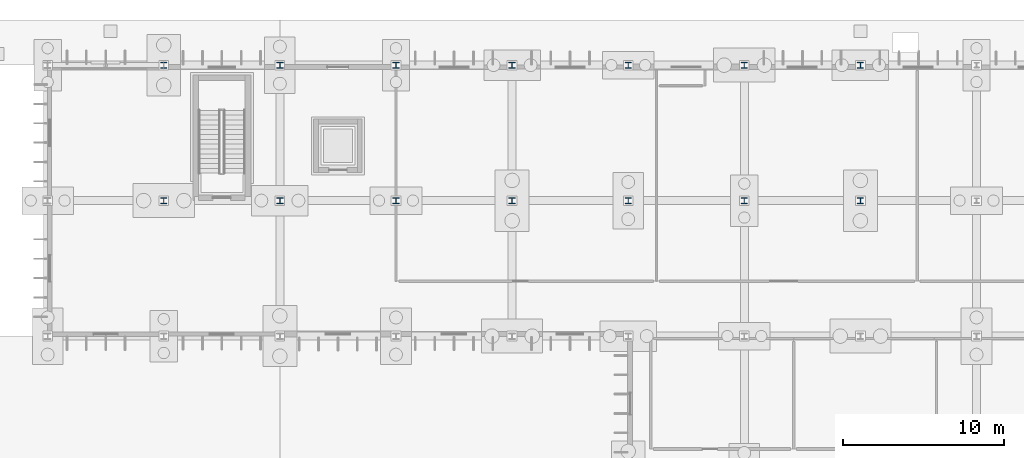
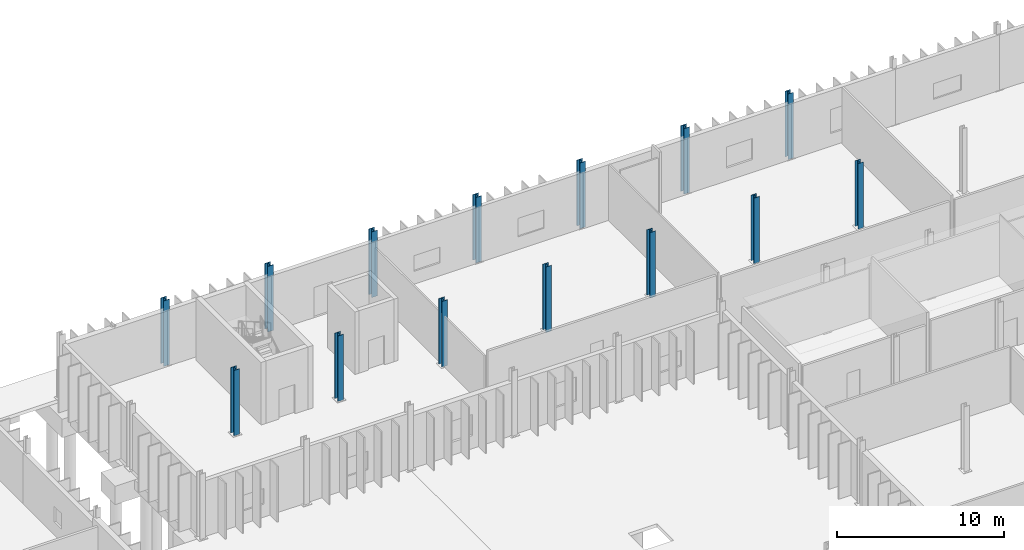
# One storey, part 23 of 118: 14 columns.
"""IFC4 building model written with IfcOpenShell, lengths in metres."""

from ifc_helpers import new_model, si_unit, direction, frame, origin, origin_2d, place, context, subcontext, project, spatial, i_section, extrude, material, material_profile, profile_set, type_object, element, save


model = new_model("IFC4")

# Units and contexts
model_context = context("Model", 3, precision=1e-05, world=origin(), true_north=direction((0.0, 1.0)))
body_context = subcontext(model_context, "Body", "Model", "MODEL_VIEW")
ifc_project = project(units=[si_unit("LENGTHUNIT", "METRE"), si_unit("AREAUNIT", "SQUARE_METRE"), si_unit("VOLUMEUNIT", "CUBIC_METRE"), si_unit("PLANEANGLEUNIT", "RADIAN"), si_unit("MASSUNIT", "GRAM", prefix="KILO")], contexts=[model_context])

# Site, building, storey
site_placement = place(None, origin())
site = spatial("IfcSite", under=ifc_project, at=site_placement, CompositionType="ELEMENT")
building_placement = place(site_placement, origin())
building = spatial("IfcBuilding", under=site, at=building_placement, Name="Qelthora Terrace Specialist Clinic", CompositionType="ELEMENT")
storey_placement = place(building_placement, origin())
storey = spatial("IfcBuildingStorey", under=building, at=storey_placement, Name="L00", CompositionType="ELEMENT", Elevation=0.0)

# Columns
ifc_material = material(Name="Steel S355", Category="steel")
ifc_material_profile_1 = material_profile(ifc_material, i_section(OverallWidth=0.37109375, OverallDepth=0.364013671875, WebThickness=0.01318359375, FlangeThickness=0.021728515625, FilletRadius=0.02001953125, at=origin_2d()), Name="W360X162")
ifc_profile_set_1 = profile_set([ifc_material_profile_1], Name="Steel S355")
column_type_1 = type_object("IfcColumnType", Name="COL-W360X162", PredefinedType="COLUMN", material=ifc_profile_set_1)
column_1_placement = place(storey_placement, frame((108.0, 109.199951171875, 0.0), z_axis=(0.0, 0.0, 1.0), x_axis=(1.0, 0.0, 0.0)))
element("IfcColumn", 1, at=column_1_placement, inside=storey, type_object=column_type_1, Name="Column L00-188", PredefinedType="COLUMN", context=body_context, shape_type="SweptSolid", body=[
    extrude(i_section(OverallWidth=0.37109375, OverallDepth=0.364013671875, WebThickness=0.01318359375, FlangeThickness=0.021728515625, FilletRadius=0.02001953125, at=origin_2d()), origin(), (0.0, 0.0, 1.0), 4.800048828125),
])
ifc_material_profile_2 = material_profile(ifc_material, i_section(OverallWidth=0.373046875, OverallDepth=0.367919921875, WebThickness=0.014892578125, FlangeThickness=0.02392578125, FilletRadius=0.02001953125, at=origin_2d()), Name="W360X179")
ifc_profile_set_2 = profile_set([ifc_material_profile_2], Name="Steel S355")
column_type_2 = type_object("IfcColumnType", Name="COL-W360X179", PredefinedType="COLUMN", material=ifc_profile_set_2)
column_2_placement = place(storey_placement, frame((108.0, 100.800048828125, 0.0), z_axis=(0.0, 0.0, 1.0), x_axis=(1.0, 0.0, 0.0)))
element("IfcColumn", 2, at=column_2_placement, inside=storey, type_object=column_type_2, Name="Column L00-187", PredefinedType="COLUMN", context=body_context, shape_type="SweptSolid", body=[
    extrude(i_section(OverallWidth=0.373046875, OverallDepth=0.367919921875, WebThickness=0.014892578125, FlangeThickness=0.02392578125, FilletRadius=0.02001953125, at=origin_2d()), origin(), (0.0, 0.0, 1.0), 4.800048828125),
])
ifc_material_profile_3 = material_profile(ifc_material, i_section(OverallWidth=0.39404296875, OverallDepth=0.375, WebThickness=0.017333984375, FlangeThickness=0.027587890625, FilletRadius=0.02001953125, at=origin_2d()), Name="W360X216")
ifc_profile_set_3 = profile_set([ifc_material_profile_3], Name="Steel S355")
column_type_3 = type_object("IfcColumnType", Name="COL-W360X216", PredefinedType="COLUMN", material=ifc_profile_set_3)
for number, where, z_axis, x_axis, name in (
    (3, (64.800048828125, 109.199951171875, 0.0), (0.0, 0.0, 1.0), (1.0, 0.0, 0.0), "Column L00-121"),
    (4, (72.0, 109.199951171875, 0.0), (0.0, 0.0, 1.0), (1.0, 0.0, 0.0), "Column L00-129"),
    (5, (79.199951171875, 109.199951171875, 0.0), (0.0, 0.0, 1.0), (1.0, 0.0, 0.0), "Column L00-137"),
    (6, (86.39990234375, 100.800048828125, 0.0), (0.0, 0.0, 1.0), (1.0, 0.0, 0.0), "Column L00-145"),
    (7, (93.60009765625, 100.800048828125, 0.0), (0.0, 0.0, 1.0), (1.0, 0.0, 0.0), "Column L00-159"),
    (8, (100.800048828125, 100.800048828125, 0.0), (0.0, 0.0, 1.0), (1.0, 0.0, 0.0), "Column L00-173"),
):
    element("IfcColumn", number, at=place(storey_placement, frame(where, z_axis=z_axis, x_axis=x_axis)), inside=storey, type_object=column_type_3, Name=name, PredefinedType="COLUMN", context=body_context, shape_type="SweptSolid", body=[
        extrude(i_section(OverallWidth=0.39404296875, OverallDepth=0.375, WebThickness=0.017333984375, FlangeThickness=0.027587890625, FilletRadius=0.02001953125, at=origin_2d()), origin(), (0.0, 0.0, 1.0), 4.800048828125),
    ])
ifc_material_profile_4 = material_profile(ifc_material, i_section(OverallWidth=0.39501953125, OverallDepth=0.3798828125, WebThickness=0.018798828125, FlangeThickness=0.0302734375, FilletRadius=0.02001953125, at=origin_2d()), Name="W360X237")
ifc_profile_set_4 = profile_set([ifc_material_profile_4], Name="Steel S355")
column_type_4 = type_object("IfcColumnType", Name="COL-W360X237", PredefinedType="COLUMN", material=ifc_profile_set_4)
for number, where, z_axis, x_axis, name in (
    (9, (64.800048828125, 100.800048828125, 0.0), (0.0, 0.0, 1.0), (1.0, 0.0, 0.0), "Column L00-120"),
    (10, (72.0, 100.800048828125, 0.0), (0.0, 0.0, 1.0), (1.0, 0.0, 0.0), "Column L00-128"),
    (11, (79.199951171875, 100.800048828125, 0.0), (0.0, 0.0, 1.0), (1.0, 0.0, 0.0), "Column L00-136"),
    (12, (86.39990234375, 109.199951171875, 0.0), (0.0, 0.0, 1.0), (1.0, 0.0, 0.0), "Column L00-146"),
    (13, (93.60009765625, 109.199951171875, 0.0), (0.0, 0.0, 1.0), (1.0, 0.0, 0.0), "Column L00-160"),
    (14, (100.800048828125, 109.199951171875, 0.0), (0.0, 0.0, 1.0), (1.0, 0.0, 0.0), "Column L00-174"),
):
    element("IfcColumn", number, at=place(storey_placement, frame(where, z_axis=z_axis, x_axis=x_axis)), inside=storey, type_object=column_type_4, Name=name, PredefinedType="COLUMN", context=body_context, shape_type="SweptSolid", body=[
        extrude(i_section(OverallWidth=0.39501953125, OverallDepth=0.3798828125, WebThickness=0.018798828125, FlangeThickness=0.0302734375, FilletRadius=0.02001953125, at=origin_2d()), origin(), (0.0, 0.0, 1.0), 4.800048828125),
    ])

save(model, "model.ifc")
